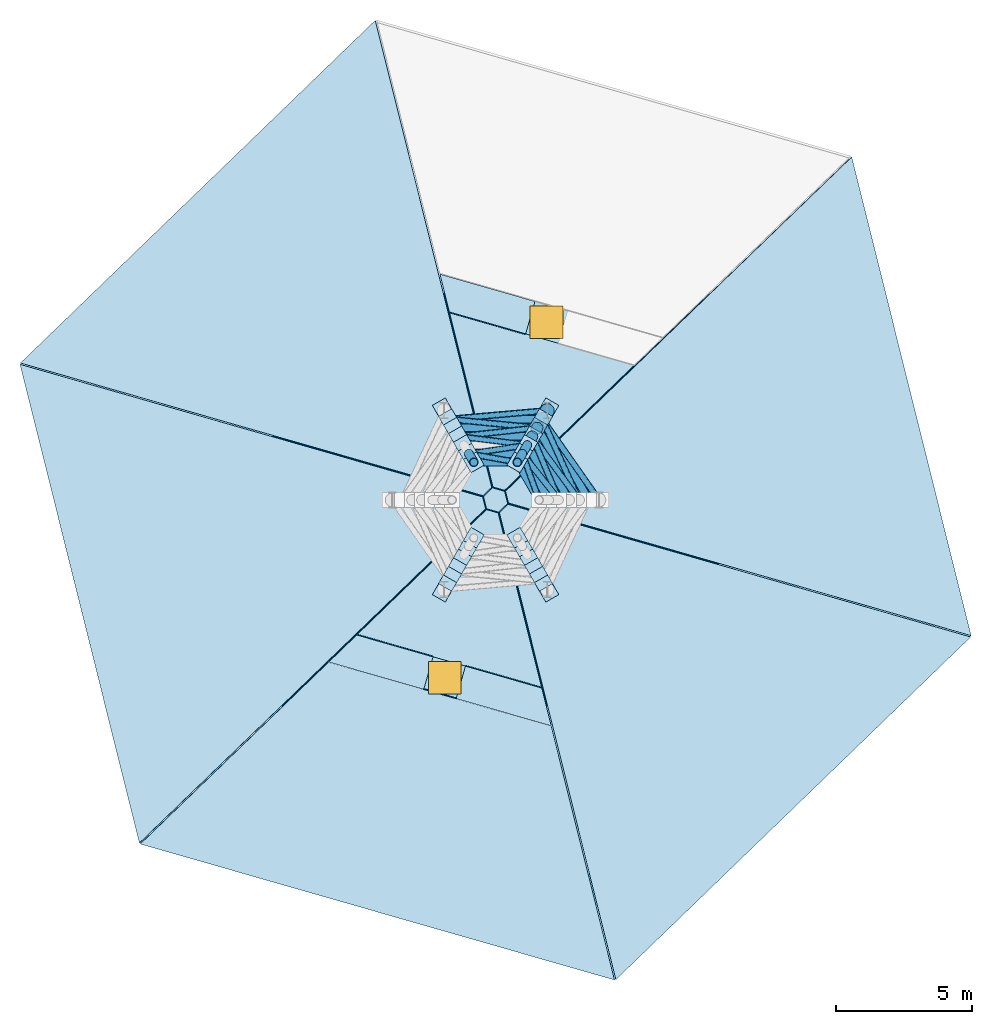
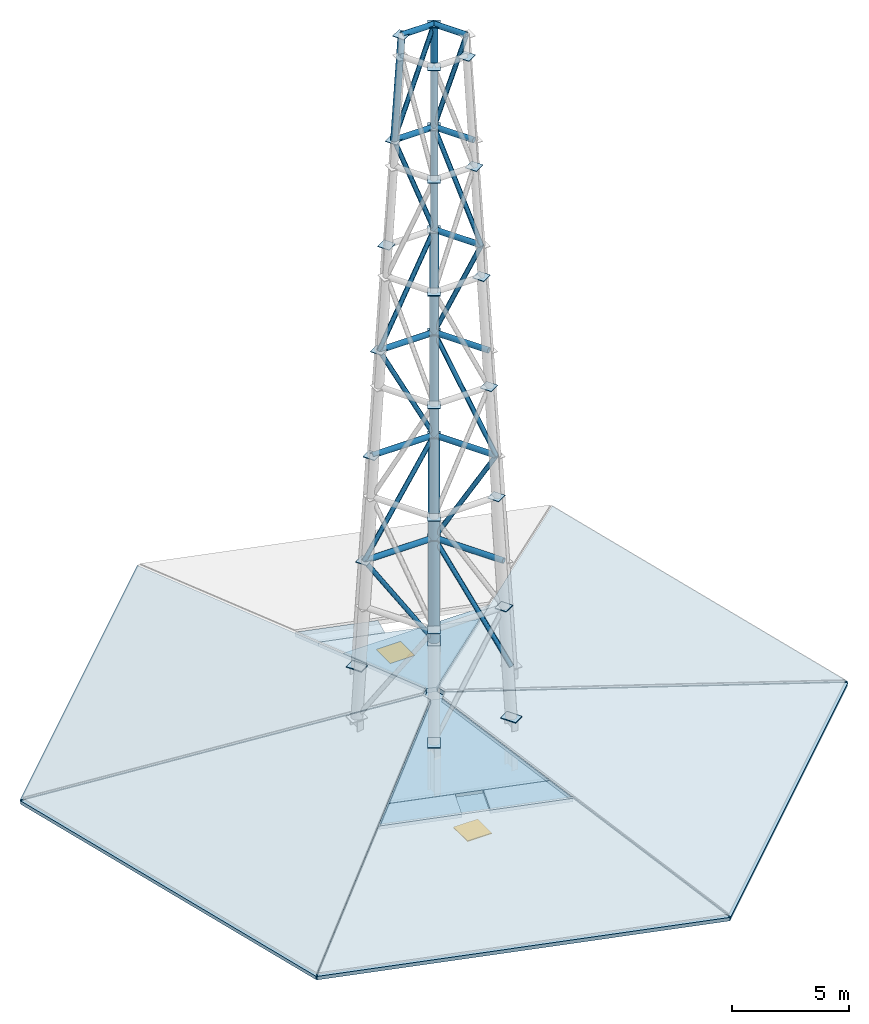
# One storey, part 2 of 4: 30 members, 28 plates, 11 slabs, 2 windows, 2 openings.
"""IFC4 building model written with IfcOpenShell, lengths in metres."""

from ifc_helpers import new_model, si_unit, direction, frame, origin, origin_2d, place, context, subcontext, project, spatial, polyline, rectangle, hollow_circle, outline, extrude, material, layer, layer_set, material_profile, profile_set, type_object, element, fill, save


model = new_model("IFC4")

# Units and contexts
model_context = context("Model", 3, precision=1e-05, world=origin(), true_north=direction((0.0, 1.0)))
body_context = subcontext(model_context, "Body", "Model", "MODEL_VIEW")
ifc_project = project(units=[si_unit("LENGTHUNIT", "METRE"), si_unit("AREAUNIT", "SQUARE_METRE"), si_unit("VOLUMEUNIT", "CUBIC_METRE"), si_unit("PLANEANGLEUNIT", "RADIAN"), si_unit("MASSUNIT", "GRAM", prefix="KILO")], contexts=[model_context])

# Site, building, storey
site_placement = place(None, origin())
site = spatial("IfcSite", under=ifc_project, at=site_placement, CompositionType="ELEMENT")
building_placement = place(site_placement, origin())
building = spatial("IfcBuilding", under=site, at=building_placement, Name="Kranzbogen Civic Tower", CompositionType="ELEMENT")
storey_placement = place(building_placement, frame((0.0, 0.0, 327.0)))
storey = spatial("IfcBuildingStorey", under=building, at=storey_placement, Name="Roof Crown", CompositionType="ELEMENT", Elevation=327.0)

# Members
ifc_material_1 = material(Name="Steel S355", Category="steel")
ifc_material_profile_1 = material_profile(ifc_material_1, hollow_circle(Radius=0.136474609375, WallThickness=0.01611328125, at=origin_2d()), Name="CHS 273x16")
ifc_profile_set_1 = profile_set([ifc_material_profile_1], Name="Steel S355")
member_type_1 = type_object("IfcMemberType", Name="Broadcast Mast Horizontal Ring CHS 273x16", PredefinedType="CHORD", material=ifc_profile_set_1)
member_1_placement = place(storey_placement, frame((28.43310546875, 25.0, 8.19189453125), z_axis=(-0.499925626596, 0.866068339032, 0.0), x_axis=(-0.866068339032, -0.499925626596, 0.0)))
element("IfcMember", 1, at=member_1_placement, inside=storey, type_object=member_type_1, Name="MR-1: Broadcast Mast tier 1 horizontal ring 1", PredefinedType="CHORD", context=body_context, shape_type="SweptSolid", body=[
    extrude(hollow_circle(Radius=0.136474609375, WallThickness=0.01611328125, at=origin_2d()), origin(), (0.0, 0.0, 1.0), 3.4326171875),
])
member_2_placement = place(storey_placement, frame((26.717041015625, 27.972900390625, 8.19189453125), z_axis=(-1.0, 0.0, 0.0), x_axis=(0.0, -1.0, 0.0)))
element("IfcMember", 2, at=member_2_placement, inside=storey, type_object=member_type_1, Name="MR-1: Broadcast Mast tier 1 horizontal ring 2", PredefinedType="CHORD", context=body_context, shape_type="SweptSolid", body=[
    extrude(hollow_circle(Radius=0.136474609375, WallThickness=0.01611328125, at=origin_2d()), origin(), (0.0, 0.0, 1.0), 3.43408203125),
])
member_3_placement = place(storey_placement, frame((28.06689453125, 25.0, 13.79296875), z_axis=(-0.500119776898, 0.865956239515, 0.0), x_axis=(-0.865956239515, -0.500119776898, 0.0)))
element("IfcMember", 3, at=member_3_placement, inside=storey, type_object=member_type_1, Name="MR-1: Broadcast Mast tier 2 horizontal ring 1", PredefinedType="CHORD", context=body_context, shape_type="SweptSolid", body=[
    extrude(hollow_circle(Radius=0.136474609375, WallThickness=0.01611328125, at=origin_2d()), origin(), (0.0, 0.0, 1.0), 3.067138671875),
])
member_4_placement = place(storey_placement, frame((26.532958984375, 27.656005859375, 13.79296875), z_axis=(-1.0, 0.0, 0.0), x_axis=(0.0, -1.0, 0.0)))
element("IfcMember", 4, at=member_4_placement, inside=storey, type_object=member_type_1, Name="MR-1: Broadcast Mast tier 2 horizontal ring 2", PredefinedType="CHORD", context=body_context, shape_type="SweptSolid", body=[
    extrude(hollow_circle(Radius=0.136474609375, WallThickness=0.01611328125, at=origin_2d()), origin(), (0.0, 0.0, 1.0), 3.06591796875),
])
member_5_placement = place(storey_placement, frame((27.699951171875, 25.0, 19.39501953125), z_axis=(-0.50001992892, 0.866013897511, 0.0), x_axis=(-0.866013897511, -0.50001992892, 0.0)))
element("IfcMember", 5, at=member_5_placement, inside=storey, type_object=member_type_1, Name="MR-1: Broadcast Mast tier 3 horizontal ring 1", PredefinedType="CHORD", context=body_context, shape_type="SweptSolid", body=[
    extrude(hollow_circle(Radius=0.136474609375, WallThickness=0.01611328125, at=origin_2d()), origin(), (0.0, 0.0, 1.0), 2.69970703125),
])
member_6_placement = place(storey_placement, frame((26.35009765625, 27.337890625, 19.39501953125), z_axis=(-1.0, 0.0, 0.0), x_axis=(0.0, -1.0, 0.0)))
element("IfcMember", 6, at=member_6_placement, inside=storey, type_object=member_type_1, Name="MR-1: Broadcast Mast tier 3 horizontal ring 2", PredefinedType="CHORD", context=body_context, shape_type="SweptSolid", body=[
    extrude(hollow_circle(Radius=0.136474609375, WallThickness=0.01611328125, at=origin_2d()), origin(), (0.0, 0.0, 1.0), 2.7001953125),
])
member_7_placement = place(storey_placement, frame((27.3330078125, 25.0, 24.9970703125), z_axis=(-0.499740570122, 0.866175133893, 0.0), x_axis=(-0.866175133893, -0.499740570122, 0.0)))
element("IfcMember", 7, at=member_7_placement, inside=storey, type_object=member_type_1, Name="MR-1: Broadcast Mast tier 4 horizontal ring 1", PredefinedType="CHORD", context=body_context, shape_type="SweptSolid", body=[
    extrude(hollow_circle(Radius=0.136474609375, WallThickness=0.01611328125, at=origin_2d()), origin(), (0.0, 0.0, 1.0), 2.333251953125),
])
member_8_placement = place(storey_placement, frame((26.967041015625, 25.0, 30.597900390625), z_axis=(-0.500370658506, 0.865811298209, 0.0), x_axis=(-0.865811298209, -0.500370658506, 0.0)))
element("IfcMember", 8, at=member_8_placement, inside=storey, type_object=member_type_1, Name="MR-1: Broadcast Mast tier 5 horizontal ring 1", PredefinedType="CHORD", context=body_context, shape_type="SweptSolid", body=[
    extrude(hollow_circle(Radius=0.136474609375, WallThickness=0.01611328125, at=origin_2d()), origin(), (0.0, 0.0, 1.0), 1.966796875),
])
member_9_placement = place(storey_placement, frame((25.98291015625, 26.702880859375, 30.597900390625), z_axis=(-1.0, 0.0, 0.0), x_axis=(0.0, -1.0, 0.0)))
element("IfcMember", 9, at=member_9_placement, inside=storey, type_object=member_type_1, Name="MR-1: Broadcast Mast tier 5 horizontal ring 2", PredefinedType="CHORD", context=body_context, shape_type="SweptSolid", body=[
    extrude(hollow_circle(Radius=0.136474609375, WallThickness=0.01611328125, at=origin_2d()), origin(), (0.0, 0.0, 1.0), 1.9658203125),
])
member_10_placement = place(storey_placement, frame((26.60009765625, 25.0, 36.199951171875), z_axis=(-0.499929347863, 0.866066190972, 0.0), x_axis=(-0.866066190972, -0.499929347863, 0.0)))
element("IfcMember", 10, at=member_10_placement, inside=storey, type_object=member_type_1, Name="MR-1: Broadcast Mast tier 6 horizontal ring 1", PredefinedType="CHORD", context=body_context, shape_type="SweptSolid", body=[
    extrude(hollow_circle(Radius=0.136474609375, WallThickness=0.01611328125, at=origin_2d()), origin(), (0.0, 0.0, 1.0), 1.600341796875),
])
member_11_placement = place(storey_placement, frame((25.800048828125, 26.385986328125, 36.199951171875), z_axis=(-1.0, 0.0, 0.0), x_axis=(0.0, -1.0, 0.0)))
element("IfcMember", 11, at=member_11_placement, inside=storey, type_object=member_type_1, Name="MR-1: Broadcast Mast tier 6 horizontal ring 2", PredefinedType="CHORD", context=body_context, shape_type="SweptSolid", body=[
    extrude(hollow_circle(Radius=0.136474609375, WallThickness=0.01611328125, at=origin_2d()), origin(), (0.0, 0.0, 1.0), 1.60009765625),
])
ifc_material_profile_2 = material_profile(ifc_material_1, hollow_circle(Radius=0.109619140625, WallThickness=0.012451171875, at=origin_2d()), Name="CHS 219.1x12.5")
ifc_profile_set_2 = profile_set([ifc_material_profile_2], Name="Steel S355")
member_type_2 = type_object("IfcMemberType", Name="Broadcast Mast Lattice Brace CHS 219.1x12.5", PredefinedType="BRACE", material=ifc_profile_set_2)
member_12_placement = place(storey_placement, frame((28.800048828125, 25.0, 2.590087890625), z_axis=(-0.312055244236, 0.445369984653, 0.839206232886), x_axis=(-0.818975905153, -0.573827906936, 0.0)))
element("IfcMember", 12, at=member_12_placement, inside=storey, type_object=member_type_2, Name="MB-1: Broadcast Mast tier 1 lattice brace 1", PredefinedType="BRACE", context=body_context, shape_type="SweptSolid", body=[
    extrude(hollow_circle(Radius=0.109619140625, WallThickness=0.012451171875, at=origin_2d()), origin(), (0.0, 0.0, 1.0), 6.675048828125),
])
member_13_placement = place(storey_placement, frame((26.89990234375, 28.291015625, 2.590087890625), z_axis=(-0.54181499186, -0.047653387404, 0.839145797383), x_axis=(0.087613189726, -0.99615457083, 0.0)))
element("IfcMember", 13, at=member_13_placement, inside=storey, type_object=member_type_2, Name="MB-1: Broadcast Mast tier 1 lattice brace 2", PredefinedType="BRACE", context=body_context, shape_type="SweptSolid", body=[
    extrude(hollow_circle(Radius=0.109619140625, WallThickness=0.012451171875, at=origin_2d()), origin(), (0.0, 0.0, 1.0), 6.675537109375),
])
member_14_placement = place(storey_placement, frame((26.717041015625, 27.972900390625, 8.19189453125), z_axis=(0.208206939567, -0.458552342758, 0.863932647414), x_axis=(0.91053541356, 0.413431083319, 0.0)))
element("IfcMember", 14, at=member_14_placement, inside=storey, type_object=member_type_2, Name="MB-1: Broadcast Mast tier 2 lattice brace 1", PredefinedType="BRACE", context=body_context, shape_type="SweptSolid", body=[
    extrude(hollow_circle(Radius=0.109619140625, WallThickness=0.012451171875, at=origin_2d()), origin(), (0.0, 0.0, 1.0), 6.483154296875),
])
member_15_placement = place(storey_placement, frame((23.282958984375, 27.972900390625, 8.19189453125), z_axis=(0.501277336442, -0.048877552787, 0.863905097104), x_axis=(0.097045773386, 0.995279919353, 0.0)))
element("IfcMember", 15, at=member_15_placement, inside=storey, type_object=member_type_2, Name="MB-1: Broadcast Mast tier 2 lattice brace 2", PredefinedType="BRACE", context=body_context, shape_type="SweptSolid", body=[
    extrude(hollow_circle(Radius=0.109619140625, WallThickness=0.012451171875, at=origin_2d()), origin(), (0.0, 0.0, 1.0), 6.4833984375),
])
for number, where, z_axis, x_axis, name in (
    (16, (28.06689453125, 25.0, 13.79296875), (-0.272143943414, 0.370598748881, 0.888028288621), (-0.806019487862, -0.591888997352, 0.0), "MB-1: Broadcast Mast tier 3 lattice brace 1"),
    (17, (26.532958984375, 27.656005859375, 13.79296875), (-0.457017099233, -0.050427070904, 0.888027297739), (0.109673960883, -0.993967616326, 0.0), "MB-1: Broadcast Mast tier 3 lattice brace 2"),
):
    element("IfcMember", number, at=place(storey_placement, frame(where, z_axis=z_axis, x_axis=x_axis)), inside=storey, type_object=member_type_2, Name=name, PredefinedType="BRACE", context=body_context, shape_type="SweptSolid", body=[
        extrude(hollow_circle(Radius=0.109619140625, WallThickness=0.012451171875, at=origin_2d()), origin(), (0.0, 0.0, 1.0), 6.308349609375),
    ])
member_16_placement = place(storey_placement, frame((26.35009765625, 27.337890625, 19.39501953125), z_axis=(0.15983902284, -0.380183428394, 0.910995086459), x_axis=(0.92184181975, 0.38756632898, 0.0)))
element("IfcMember", 18, at=member_16_placement, inside=storey, type_object=member_type_2, Name="MB-1: Broadcast Mast tier 4 lattice brace 1", PredefinedType="BRACE", context=body_context, shape_type="SweptSolid", body=[
    extrude(hollow_circle(Radius=0.109619140625, WallThickness=0.012451171875, at=origin_2d()), origin(), (0.0, 0.0, 1.0), 6.1494140625),
])
member_17_placement = place(storey_placement, frame((23.64990234375, 27.337890625, 19.39501953125), z_axis=(0.409301101747, -0.051529857427, 0.910943072811), x_axis=(0.124911151794, 0.99216793143, 0.0)))
element("IfcMember", 19, at=member_17_placement, inside=storey, type_object=member_type_2, Name="MB-1: Broadcast Mast tier 4 lattice brace 2", PredefinedType="BRACE", context=body_context, shape_type="SweptSolid", body=[
    extrude(hollow_circle(Radius=0.109619140625, WallThickness=0.012451171875, at=origin_2d()), origin(), (0.0, 0.0, 1.0), 6.149658203125),
])
member_18_placement = place(storey_placement, frame((27.3330078125, 25.0, 24.9970703125), z_axis=(-0.22472972711, 0.283452051825, 0.932282942067), x_axis=(-0.783601402131, -0.621263907352, 0.0)))
element("IfcMember", 20, at=member_18_placement, inside=storey, type_object=member_type_2, Name="MB-1: Broadcast Mast tier 5 lattice brace 1", PredefinedType="BRACE", context=body_context, shape_type="SweptSolid", body=[
    extrude(hollow_circle(Radius=0.109619140625, WallThickness=0.012451171875, at=origin_2d()), origin(), (0.0, 0.0, 1.0), 6.007568359375),
])
member_19_placement = place(storey_placement, frame((26.1669921875, 27.02099609375, 24.9970703125), z_axis=(-0.357857233035, -0.052951166778, 0.932273765962), x_axis=(0.146373595832, -0.989229382117, 0.0)))
element("IfcMember", 21, at=member_19_placement, inside=storey, type_object=member_type_2, Name="MB-1: Broadcast Mast tier 5 lattice brace 2", PredefinedType="BRACE", context=body_context, shape_type="SweptSolid", body=[
    extrude(hollow_circle(Radius=0.109619140625, WallThickness=0.012451171875, at=origin_2d()), origin(), (0.0, 0.0, 1.0), 6.0078125),
])
member_20_placement = place(storey_placement, frame((25.98291015625, 26.702880859375, 30.597900390625), z_axis=(0.104828575511, -0.289232323652, 0.951501777566), x_axis=(0.940154957666, 0.340747201861, 0.0)))
element("IfcMember", 22, at=member_20_placement, inside=storey, type_object=member_type_2, Name="MB-1: Broadcast Mast tier 6 lattice brace 1", PredefinedType="BRACE", context=body_context, shape_type="SweptSolid", body=[
    extrude(hollow_circle(Radius=0.109619140625, WallThickness=0.012451171875, at=origin_2d()), origin(), (0.0, 0.0, 1.0), 5.8876953125),
])
member_21_placement = place(storey_placement, frame((24.01708984375, 26.702880859375, 30.597900390625), z_axis=(0.302839434997, -0.05382522068, 0.951520426596), x_axis=(0.174992676449, 0.984569735057, 0.0)))
element("IfcMember", 23, at=member_21_placement, inside=storey, type_object=member_type_2, Name="MB-1: Broadcast Mast tier 6 lattice brace 2", PredefinedType="BRACE", context=body_context, shape_type="SweptSolid", body=[
    extrude(hollow_circle(Radius=0.109619140625, WallThickness=0.012451171875, at=origin_2d()), origin(), (0.0, 0.0, 1.0), 5.887451171875),
])
ifc_material_profile_3 = material_profile(ifc_material_1, hollow_circle(Radius=0.25390625, WallThickness=0.02490234375, at=origin_2d()), Name="CHS 508x25")
ifc_profile_set_3 = profile_set([ifc_material_profile_3], Name="Steel S355")
member_type_3 = type_object("IfcMemberType", Name="Broadcast Mast Lower Leg CHS 508x25", PredefinedType="POST", material=ifc_profile_set_3)
member_22_placement = place(storey_placement, frame((26.89990234375, 28.291015625, 2.590087890625), z_axis=(-0.032573474644, -0.056666538666, 0.997861649802), x_axis=(0.866970988391, -0.498358611132, 0.0)))
element("IfcMember", 24, at=member_22_placement, inside=storey, type_object=member_type_3, Name="Broadcast Mast tier 1 leg 2", PredefinedType="POST", context=body_context, shape_type="SweptSolid", body=[
    extrude(hollow_circle(Radius=0.25390625, WallThickness=0.02490234375, at=origin_2d()), origin(), (0.0, 0.0, 1.0), 5.61376953125),
])
member_23_placement = place(storey_placement, frame((26.717041015625, 27.972900390625, 8.19189453125), z_axis=(-0.032795360945, -0.05645673542, 0.99786627427), x_axis=(0.864695615284, -0.502296220281, 0.0)))
element("IfcMember", 25, at=member_23_placement, inside=storey, type_object=member_type_3, Name="Broadcast Mast tier 2 leg 2", PredefinedType="POST", context=body_context, shape_type="SweptSolid", body=[
    extrude(hollow_circle(Radius=0.25390625, WallThickness=0.02490234375, at=origin_2d()), origin(), (0.0, 0.0, 1.0), 5.613037109375),
])
ifc_material_profile_4 = material_profile(ifc_material_1, hollow_circle(Radius=0.203125, WallThickness=0.02490234375, at=origin_2d()), Name="CHS 406.4x25")
ifc_profile_set_4 = profile_set([ifc_material_profile_4], Name="Steel S355")
member_type_4 = type_object("IfcMemberType", Name="Broadcast Mast Mid Leg CHS 406.4x25", PredefinedType="POST", material=ifc_profile_set_4)
for number, where, z_axis, x_axis, name in (
    (26, (26.532958984375, 27.656005859375, 13.79296875), (-0.032572061137, -0.056664079655, 0.997861835582), (0.866970988391, -0.498358611132, 0.0), "Broadcast Mast tier 3 leg 2"),
    (27, (26.35009765625, 27.337890625, 19.39501953125), (-0.032615903392, -0.056447256803, 0.997872692304), (0.86585223051, -0.500299825025, 0.0), "Broadcast Mast tier 4 leg 2"),
):
    element("IfcMember", number, at=place(storey_placement, frame(where, z_axis=z_axis, x_axis=x_axis)), inside=storey, type_object=member_type_4, Name=name, PredefinedType="POST", context=body_context, shape_type="SweptSolid", body=[
        extrude(hollow_circle(Radius=0.203125, WallThickness=0.02490234375, at=origin_2d()), origin(), (0.0, 0.0, 1.0), 5.614013671875),
    ])
ifc_material_profile_5 = material_profile(ifc_material_1, hollow_circle(Radius=0.161865234375, WallThickness=0.02001953125, at=origin_2d()), Name="CHS 323.9x20")
ifc_profile_set_5 = profile_set([ifc_material_profile_5], Name="Steel S355")
member_type_5 = type_object("IfcMemberType", Name="Broadcast Mast Upper Leg CHS 323.9x20", PredefinedType="POST", material=ifc_profile_set_5)
member_24_placement = place(storey_placement, frame((26.1669921875, 27.02099609375, 24.9970703125), z_axis=(-0.032796380922, -0.056675973927, 0.997853812629), x_axis=(0.865532382492, -0.500852967305, 0.0)))
element("IfcMember", 28, at=member_24_placement, inside=storey, type_object=member_type_5, Name="Broadcast Mast tier 5 leg 2", PredefinedType="POST", context=body_context, shape_type="SweptSolid", body=[
    extrude(hollow_circle(Radius=0.161865234375, WallThickness=0.02001953125, at=origin_2d()), origin(), (0.0, 0.0, 1.0), 5.61279296875),
])
for number, where, z_axis, x_axis, name in (
    (29, (25.98291015625, 26.702880859375, 30.597900390625), (-0.03257246169, -0.056447336815, 0.997874106742), (0.866141146063, -0.499799474886, 0.0), "Broadcast Mast tier 6 leg 2"),
    (30, (24.01708984375, 26.702880859375, 30.597900390625), (0.03257246169, -0.056447336815, 0.997874106742), (0.866141146063, 0.499799474886, 0.0), "Broadcast Mast tier 6 leg 3"),
):
    element("IfcMember", number, at=place(storey_placement, frame(where, z_axis=z_axis, x_axis=x_axis)), inside=storey, type_object=member_type_5, Name=name, PredefinedType="POST", context=body_context, shape_type="SweptSolid", body=[
        extrude(hollow_circle(Radius=0.161865234375, WallThickness=0.02001953125, at=origin_2d()), origin(), (0.0, 0.0, 1.0), 5.614013671875),
    ])

# Plates
ifc_layer_1 = layer(ifc_material_1, 0.0400390625, Name="Steel S355")
ifc_layer_set_1 = layer_set([ifc_layer_1], Name="Steel S355")
plate_type_1 = type_object("IfcPlateType", Name="Broadcast Mast Anchor Base Plate 750x550x40", PredefinedType="USERDEFINED", material=ifc_layer_set_1)
for number, where, z_axis, x_axis, name in (
    (31, (26.89990234375, 28.291015625, 2.550048828125), (0.0, 0.0, 1.0), (0.5, 0.866025403784, 0.0), "Broadcast Mast leg 2 anchor base plate"),
    (32, (23.10009765625, 28.291015625, 2.550048828125), (0.0, 0.0, 1.0), (-0.5, 0.866025403784, 0.0), "Broadcast Mast leg 3 anchor base plate"),
    (33, (23.10009765625, 21.708984375, 2.550048828125), (0.0, 0.0, 1.0), (-0.5, -0.866025403784, 0.0), "Broadcast Mast leg 5 anchor base plate"),
    (34, (26.89990234375, 21.708984375, 2.550048828125), (0.0, 0.0, 1.0), (0.5, -0.866025403784, 0.0), "Broadcast Mast leg 6 anchor base plate"),
):
    element("IfcPlate", number, at=place(storey_placement, frame(where, z_axis=z_axis, x_axis=x_axis)), inside=storey, type_object=plate_type_1, Name=name, ObjectType="BASE_PLATE", PredefinedType="USERDEFINED", context=body_context, shape_type="SweptSolid", body=[
        extrude(rectangle(XDim=0.75, YDim=0.550048828125, at=origin_2d()), origin(), (0.0, 0.0, 1.0), 0.0400390625),
    ])

# Slabs
ifc_material_2 = material(Name="Concrete C40/50", Category="concrete")
ifc_layer_2 = layer(ifc_material_2, 0.2099609375, Name="Concrete C40/50")
ifc_layer_set_2 = layer_set([ifc_layer_2], Name="Concrete C40/50")
slab_type_1 = type_object("IfcSlabType", Name="Crown Drum Sloped Roof Slab 210 mm", PredefinedType="ROOF", material=ifc_layer_set_2)
slab_1_placement = place(storey_placement, frame((20.575927734375, 42.638916015625, 0.0), z_axis=(-0.110943476233, 0.114888133166, 0.987163746264), x_axis=(-0.719352873945, -0.694644832087, -1.074292e-06)))
element("IfcSlab", 35, at=slab_1_placement, inside=storey, type_object=slab_type_1, Name="Roof Crown sloped structural roof facet 1", PredefinedType="ROOF", context=body_context, shape_type="SweptSolid", body=[
    extrude(outline(polyline([(0.0, 0.0), (18.141369987510792, 1.7763568394002505e-15), (9.291458920951108, 15.527946792665066), (8.849451928606745, 15.527821792400811), (0.0, 0.0)])), origin(), (0.0, 0.0, -1.0), 0.2099609375),
])
slab_2_placement = place(storey_placement, frame((7.511962890625, 29.989013671875, 0.0), z_axis=(-0.154968909216, -0.03863732579, 0.98716350937), x_axis=(0.241908879803, -0.970298971385, -1.420472e-06)))
element("IfcSlab", 36, at=slab_2_placement, inside=storey, type_object=slab_type_1, Name="Roof Crown sloped structural roof facet 2", PredefinedType="ROOF", context=body_context, shape_type="SweptSolid", body=[
    extrude(outline(polyline([(0.0, 0.0), (18.142864639378022, 8.881784197001252e-16), (9.292190363651066, 15.527824581528302), (8.849811557516292, 15.527659286066944), (0.0, 0.0)])), origin(), (0.0, 0.0, -1.0), 0.2099609375),
])
slab_3_placement = place(storey_placement, frame((11.93603515625, 12.34912109375, 0.0), z_axis=(-0.044031352154, -0.153573478576, 0.987155725661), x_axis=(0.961269636768, -0.275609661346, -3.36857e-07)))
element("IfcSlab", 37, at=slab_3_placement, inside=storey, type_object=slab_type_1, Name="Roof Crown sloped structural roof facet 3A", PredefinedType="ROOF", context=body_context, shape_type="SweptSolid", body=[
    extrude(outline(polyline([(0.0, 0.0), (18.141595707696446, 0.0), (13.328549467288884, 8.444649724891823), (4.812962229563564, 8.444593518093008), (0.0, 0.0)])), origin(), (0.0, 0.0, -1.0), 0.2099609375),
])
slab_4_placement = place(storey_placement, frame((19.89892578125, 20.0390625, 1.551025390625), z_axis=(-0.044034994998, -0.153507642513, 0.987165803148), x_axis=(0.961238007038, -0.275719955418, 3.029361e-06)))
element("IfcSlab", 38, at=slab_4_placement, inside=storey, type_object=slab_type_1, Name="Roof Crown sloped structural roof facet 3B", PredefinedType="ROOF", context=body_context, shape_type="SweptSolid", body=[
    extrude(outline(polyline([(0.0, 0.0), (7.072228415504711, 2.220446049250313e-16), (3.7564642151473153, 5.816851711917599), (3.3142339055860788, 5.816994255392728), (0.0, 0.0)])), origin(), (0.0, 0.0, -1.0), 0.2099609375),
])
slab_5_placement = place(storey_placement, frame((18.864990234375, 19.0400390625, 1.35009765625), z_axis=(-0.043884835713, -0.153006931595, 0.987250221615), x_axis=(0.961254530715, -0.275662342623, 6.328647e-06)))
element("IfcSlab", 39, at=slab_5_placement, inside=storey, type_object=slab_type_1, Name="Roof Crown sloped structural roof facet 3C", PredefinedType="ROOF", context=body_context, shape_type="SweptSolid", body=[
    extrude(outline(polyline([(0.0, 0.0), (3.634724571089585, -1.1102230246251565e-16), (3.6349538738261415, 1.2560195253279272), (0.715872559096616, 1.2562800967709842), (0.0, 0.0)])), origin(), (0.0, 0.0, -1.0), 0.2099609375),
])
slab_6_placement = place(storey_placement, frame((23.551025390625, 17.697021484375, 1.35009765625), z_axis=(-0.043894935251, -0.153042144198, 0.987244314625), x_axis=(0.961254530585, -0.275662343074, 6.330065e-06)))
element("IfcSlab", 40, at=slab_6_placement, inside=storey, type_object=slab_type_1, Name="Roof Crown sloped structural roof facet 3D", PredefinedType="ROOF", context=body_context, shape_type="SweptSolid", body=[
    extrude(outline(polyline([(0.0, 0.0), (3.6347245710895497, 1.1102230246251565e-16), (2.919310617167387, 1.255758955443896), (0.00022930243776536234, 1.256019525327882), (0.0, 0.0)])), origin(), (0.0, 0.0, -1.0), 0.2099609375),
])
slab_7_placement = place(storey_placement, frame((29.424072265625, 7.361083984375, 0.0), z_axis=(0.110943476233, -0.114888133166, 0.987163746264), x_axis=(0.719352873945, 0.694644832087, -1.074292e-06)))
element("IfcSlab", 41, at=slab_7_placement, inside=storey, type_object=slab_type_1, Name="Roof Crown sloped structural roof facet 4", PredefinedType="ROOF", context=body_context, shape_type="SweptSolid", body=[
    extrude(outline(polyline([(0.0, 0.0), (18.141369987510792, 1.7763568394002505e-15), (9.291458920951108, 15.527946792665066), (8.849451928606745, 15.527821792400811), (0.0, 0.0)])), origin(), (0.0, 0.0, -1.0), 0.2099609375),
])
slab_8_placement = place(storey_placement, frame((42.488037109375, 20.010986328125, 0.0), z_axis=(0.154968909216, 0.03863732579, 0.98716350937), x_axis=(-0.241908879803, 0.970298971385, -1.420472e-06)))
element("IfcSlab", 42, at=slab_8_placement, inside=storey, type_object=slab_type_1, Name="Roof Crown sloped structural roof facet 5", PredefinedType="ROOF", context=body_context, shape_type="SweptSolid", body=[
    extrude(outline(polyline([(0.0, 0.0), (18.142864639378022, 8.881784197001252e-16), (9.292190363651066, 15.527824581528302), (8.849811557516292, 15.527659286066944), (0.0, 0.0)])), origin(), (0.0, 0.0, -1.0), 0.2099609375),
])
slab_9_placement = place(storey_placement, frame((30.10107421875, 29.9609375, 1.551025390625), z_axis=(0.044034994998, 0.153507642513, 0.987165803148), x_axis=(-0.961238007038, 0.275719955418, 3.029361e-06)))
element("IfcSlab", 43, at=slab_9_placement, inside=storey, type_object=slab_type_1, Name="Roof Crown sloped structural roof facet 6B", PredefinedType="ROOF", context=body_context, shape_type="SweptSolid", body=[
    extrude(outline(polyline([(0.0, 0.0), (7.072228415504711, 2.220446049250313e-16), (3.7564642151473153, 5.816851711917599), (3.3142339055860788, 5.816994255392728), (0.0, 0.0)])), origin(), (0.0, 0.0, -1.0), 0.2099609375),
])
slab_10_placement = place(storey_placement, frame((26.448974609375, 32.302978515625, 1.35009765625), z_axis=(0.043894935251, 0.153042144198, 0.987244314625), x_axis=(-0.961254530585, 0.275662343074, 6.330065e-06)))
element("IfcSlab", 44, at=slab_10_placement, inside=storey, type_object=slab_type_1, Name="Roof Crown sloped structural roof facet 6D", PredefinedType="ROOF", context=body_context, shape_type="SweptSolid", body=[
    extrude(outline(polyline([(0.0, 0.0), (3.6347245710895497, 1.1102230246251565e-16), (2.919310617167387, 1.255758955443896), (0.00022930243776536234, 1.256019525327882), (0.0, 0.0)])), origin(), (0.0, 0.0, -1.0), 0.2099609375),
])

# Slab, openings, windows
ifc_layer_3 = layer(ifc_material_2, 0.22998046875, Name="Concrete C40/50")
ifc_layer_set_3 = layer_set([ifc_layer_3], Name="Concrete C40/50")
slab_type_2 = type_object("IfcSlabType", Name="Health Centre Structural Roof Slab 230 mm", PredefinedType="ROOF", material=ifc_layer_set_3)
slab_11_placement = place(storey_placement, frame((0.0, 0.0, -0.22998046875)))
slab_11 = element("IfcSlab", 45, at=slab_11_placement, inside=storey, type_object=slab_type_2, Name="Roof Crown central core structural roof slab", PredefinedType="ROOF", context=body_context, shape_type="SweptSolid", body=[
    extrude(outline(polyline([(16.800048828125, 17.39990234375), (33.199951171875, 17.39990234375), (33.199951171875, 32.60009765625), (16.800048828125, 32.60009765625), (16.800048828125, 17.39990234375)])), origin(), (0.0, 0.0, 1.0), 0.22998046875),
])
opening_1_placement = place(slab_11_placement, frame((23.1259765625, 18.462890625, 0.0)))
opening_1 = element("IfcOpeningElement", 46, at=opening_1_placement, cuts=slab_11, Name="Opening SK-12", PredefinedType="OPENING", context=body_context, shape_type="SweptSolid", body=[
    extrude(rectangle(XDim=1.199951171875, YDim=1.199951171875, at=origin_2d()), origin(), (0.0, 0.0, 1.0), 0.22998046875),
])
opening_2_placement = place(slab_11_placement, frame((26.8740234375, 31.537109375, 0.0)))
opening_2 = element("IfcOpeningElement", 47, at=opening_2_placement, cuts=slab_11, Name="Opening SK-12", PredefinedType="OPENING", context=body_context, shape_type="SweptSolid", body=[
    extrude(rectangle(XDim=1.199951171875, YDim=1.199951171875, at=origin_2d()), origin(), (0.0, 0.0, 1.0), 0.22998046875),
])
ifc_material_3 = material(Name="Low-E Triple Glazing Glass", Category="glass")
window_type = type_object("IfcWindowType", Name="Crown Maintenance Roof Access Skylight Hatch 1200x1200", PartitioningType="SINGLE_PANEL", PredefinedType="SKYLIGHT", material=ifc_material_3)
window_1_placement = place(opening_1_placement, frame((0.0, 0.0, 0.179931640625)))
window_1 = element("IfcWindow", 48, at=window_1_placement, inside=storey, type_object=window_type, Name="Roof Crown maintenance access hatch 1", OverallHeight=1.199951171875, OverallWidth=1.199951171875, PartitioningType="SINGLE_PANEL", PredefinedType="SKYLIGHT", context=body_context, shape_type="SweptSolid", body=[
    extrude(rectangle(XDim=1.199951171875, YDim=1.199951171875, at=origin_2d()), origin(), (0.0, 0.0, 1.0), 0.050048828125),
])
fill(opening_1, window_1)
window_2_placement = place(opening_2_placement, frame((0.0, 0.0, 0.179931640625)))
window_2 = element("IfcWindow", 49, at=window_2_placement, inside=storey, type_object=window_type, Name="Roof Crown maintenance access hatch 2", OverallHeight=1.199951171875, OverallWidth=1.199951171875, PartitioningType="SINGLE_PANEL", PredefinedType="SKYLIGHT", context=body_context, shape_type="SweptSolid", body=[
    extrude(rectangle(XDim=1.199951171875, YDim=1.199951171875, at=origin_2d()), origin(), (0.0, 0.0, 1.0), 0.050048828125),
])
fill(opening_2, window_2)

# Plates
ifc_layer_4 = layer(ifc_material_1, 0.02490234375, Name="Steel S355")
ifc_layer_set_4 = layer_set([ifc_layer_4], Name="Steel S355")
plate_type_2 = type_object("IfcPlateType", Name="Hollow Section Sealed End Cap Plate 440x440x25", PredefinedType="SHEET", material=ifc_layer_set_4)
for number, where, z_axis, x_axis, name in (
    (50, (26.717041015625, 27.972900390625, 8.1767578125), (0.0, 0.0, 1.0), (0.5, 0.866025403784, 0.0), "Broadcast Mast tier 1 node 2 sealed plate"),
    (51, (23.282958984375, 27.972900390625, 8.1767578125), (0.0, 0.0, 1.0), (-0.5, 0.866025403784, 0.0), "Broadcast Mast tier 1 node 3 sealed plate"),
    (52, (23.282958984375, 22.027099609375, 8.1767578125), (0.0, 0.0, 1.0), (-0.5, -0.866025403784, 0.0), "Broadcast Mast tier 1 node 5 sealed plate"),
    (53, (26.717041015625, 22.027099609375, 8.1767578125), (0.0, 0.0, 1.0), (0.5, -0.866025403784, 0.0), "Broadcast Mast tier 1 node 6 sealed plate"),
    (54, (26.532958984375, 27.656005859375, 13.77783203125), (0.0, 0.0, 1.0), (0.5, 0.866025403784, 0.0), "Broadcast Mast tier 2 node 2 sealed plate"),
    (55, (23.467041015625, 27.656005859375, 13.77783203125), (0.0, 0.0, 1.0), (-0.5, 0.866025403784, 0.0), "Broadcast Mast tier 2 node 3 sealed plate"),
    (56, (23.467041015625, 22.343994140625, 13.77783203125), (0.0, 0.0, 1.0), (-0.5, -0.866025403784, 0.0), "Broadcast Mast tier 2 node 5 sealed plate"),
    (57, (26.532958984375, 22.343994140625, 13.77783203125), (0.0, 0.0, 1.0), (0.5, -0.866025403784, 0.0), "Broadcast Mast tier 2 node 6 sealed plate"),
    (58, (26.35009765625, 27.337890625, 19.3798828125), (0.0, 0.0, 1.0), (0.5, 0.866025403784, 0.0), "Broadcast Mast tier 3 node 2 sealed plate"),
    (59, (23.64990234375, 27.337890625, 19.3798828125), (0.0, 0.0, 1.0), (-0.5, 0.866025403784, 0.0), "Broadcast Mast tier 3 node 3 sealed plate"),
    (60, (23.64990234375, 22.662109375, 19.3798828125), (0.0, 0.0, 1.0), (-0.5, -0.866025403784, 0.0), "Broadcast Mast tier 3 node 5 sealed plate"),
    (61, (26.35009765625, 22.662109375, 19.3798828125), (0.0, 0.0, 1.0), (0.5, -0.866025403784, 0.0), "Broadcast Mast tier 3 node 6 sealed plate"),
    (62, (26.1669921875, 27.02099609375, 24.98193359375), (0.0, 0.0, 1.0), (0.5, 0.866025403784, 0.0), "Broadcast Mast tier 4 node 2 sealed plate"),
    (63, (23.8330078125, 27.02099609375, 24.98193359375), (0.0, 0.0, 1.0), (-0.5, 0.866025403784, 0.0), "Broadcast Mast tier 4 node 3 sealed plate"),
    (64, (23.8330078125, 22.97900390625, 24.98193359375), (0.0, 0.0, 1.0), (-0.5, -0.866025403784, 0.0), "Broadcast Mast tier 4 node 5 sealed plate"),
    (65, (26.1669921875, 22.97900390625, 24.98193359375), (0.0, 0.0, 1.0), (0.5, -0.866025403784, 0.0), "Broadcast Mast tier 4 node 6 sealed plate"),
    (66, (25.98291015625, 26.702880859375, 30.5830078125), (0.0, 0.0, 1.0), (0.5, 0.866025403784, 0.0), "Broadcast Mast tier 5 node 2 sealed plate"),
    (67, (24.01708984375, 26.702880859375, 30.5830078125), (0.0, 0.0, 1.0), (-0.5, 0.866025403784, 0.0), "Broadcast Mast tier 5 node 3 sealed plate"),
    (68, (24.01708984375, 23.297119140625, 30.5830078125), (0.0, 0.0, 1.0), (-0.5, -0.866025403784, 0.0), "Broadcast Mast tier 5 node 5 sealed plate"),
    (69, (25.98291015625, 23.297119140625, 30.5830078125), (0.0, 0.0, 1.0), (0.5, -0.866025403784, 0.0), "Broadcast Mast tier 5 node 6 sealed plate"),
    (70, (25.800048828125, 26.385986328125, 36.18505859375), (0.0, 0.0, 1.0), (0.5, 0.866025403784, 0.0), "Broadcast Mast tier 6 node 2 sealed plate"),
    (71, (24.199951171875, 26.385986328125, 36.18505859375), (0.0, 0.0, 1.0), (-0.5, 0.866025403784, 0.0), "Broadcast Mast tier 6 node 3 sealed plate"),
    (72, (24.199951171875, 23.614013671875, 36.18505859375), (0.0, 0.0, 1.0), (-0.5, -0.866025403784, 0.0), "Broadcast Mast tier 6 node 5 sealed plate"),
    (73, (25.800048828125, 23.614013671875, 36.18505859375), (0.0, 0.0, 1.0), (0.5, -0.866025403784, 0.0), "Broadcast Mast tier 6 node 6 sealed plate"),
):
    element("IfcPlate", number, at=place(storey_placement, frame(where, z_axis=z_axis, x_axis=x_axis)), inside=storey, type_object=plate_type_2, Name=name, PredefinedType="SHEET", context=body_context, shape_type="SweptSolid", body=[
        extrude(rectangle(XDim=0.56005859375, YDim=0.56005859375, at=origin_2d()), origin(), (0.0, 0.0, 1.0), 0.030029296875),
    ])

save(model, "model.ifc")
